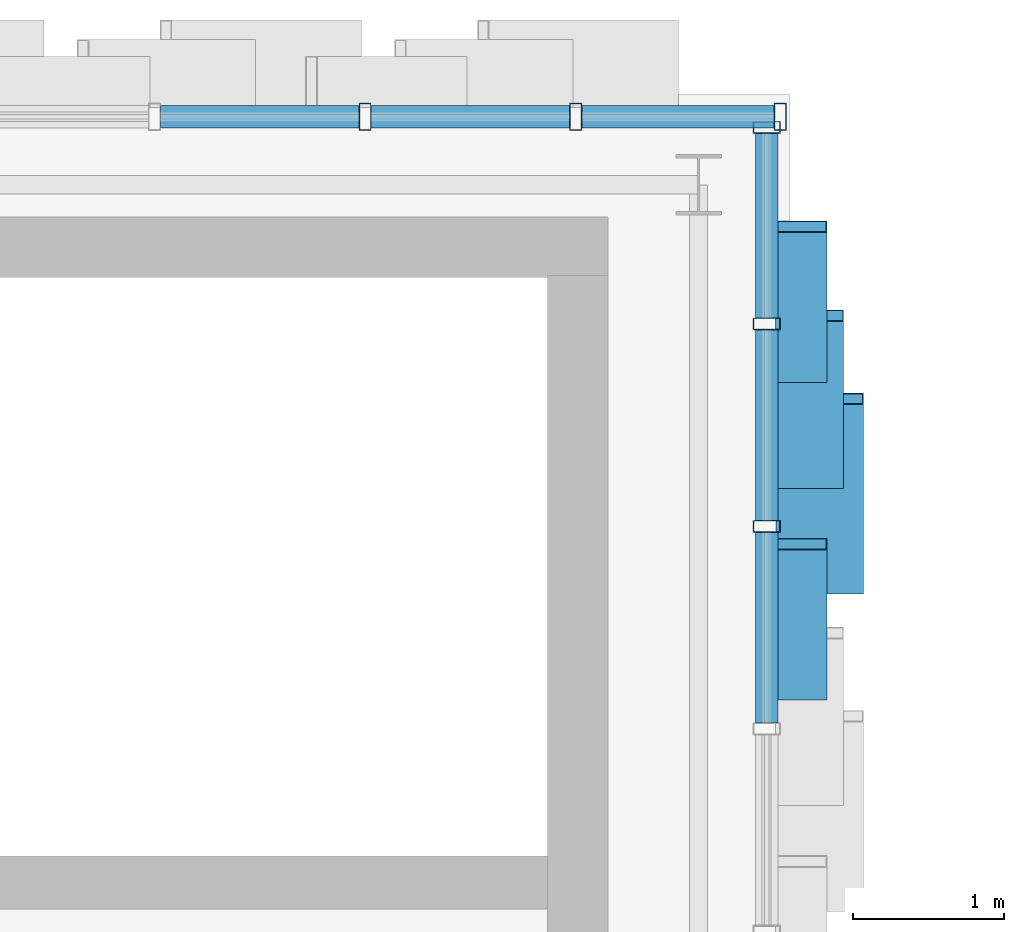
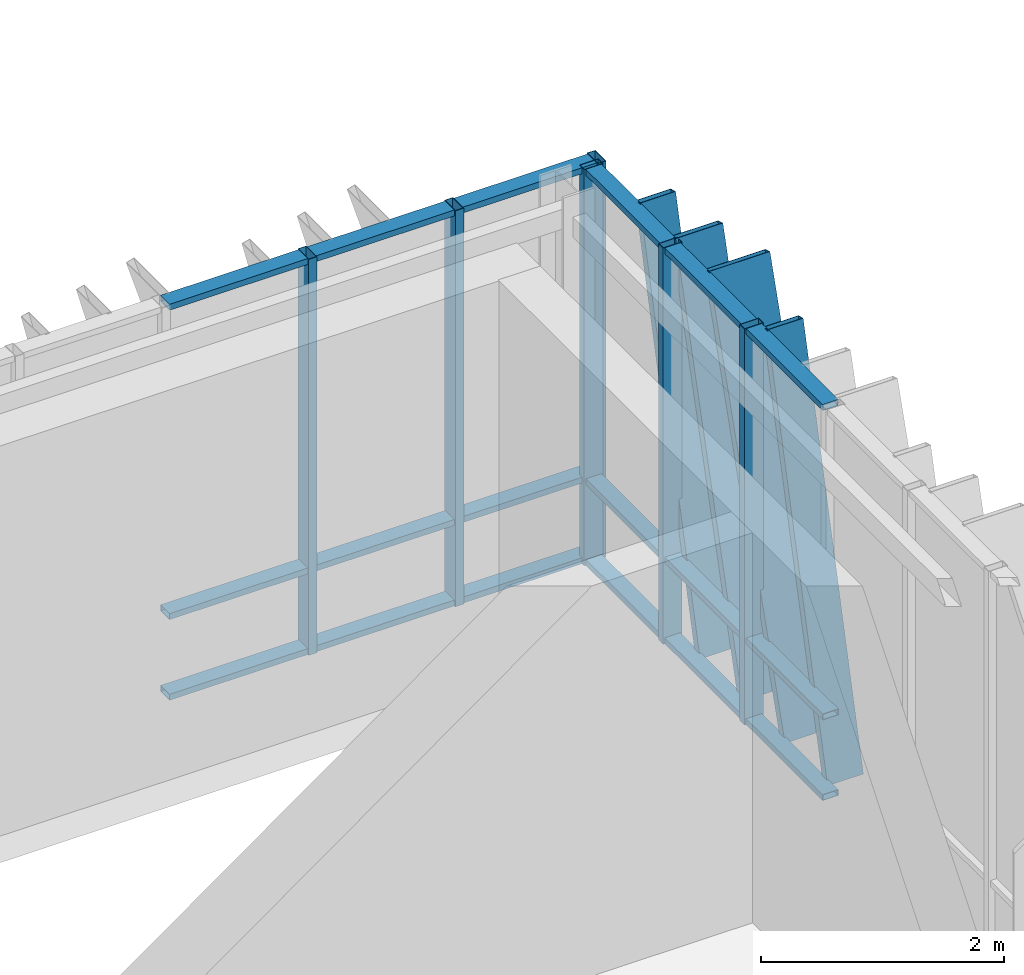
# One storey, part 64 of 123: 28 members, 2 elements without a shape of their own.
"""IFC4 building model written with IfcOpenShell, lengths in metres."""

from ifc_helpers import new_model, si_unit, direction, frame, origin, origin_2d, place, context, subcontext, project, spatial, hollow_rectangle, extrude, material, layer, layer_set, material_profile, profile_set, type_object, element, aggregate, save


model = new_model("IFC4")

# Units and contexts
model_context = context("Model", 3, precision=1e-05, world=origin(), true_north=direction((0.0, 1.0)))
body_context = subcontext(model_context, "Body", "Model", "MODEL_VIEW")
ifc_project = project(units=[si_unit("LENGTHUNIT", "METRE"), si_unit("AREAUNIT", "SQUARE_METRE"), si_unit("VOLUMEUNIT", "CUBIC_METRE"), si_unit("PLANEANGLEUNIT", "RADIAN"), si_unit("MASSUNIT", "GRAM", prefix="KILO")], contexts=[model_context])

# Site, building, storey
site_placement = place(None, origin())
site = spatial("IfcSite", under=ifc_project, at=site_placement, CompositionType="ELEMENT")
building_placement = place(site_placement, origin())
building = spatial("IfcBuilding", under=site, at=building_placement, Name="Zayran Congress Hotel", CompositionType="ELEMENT")
storey_placement = place(building_placement, frame((0.0, 0.0, 15.0)))
storey = spatial("IfcBuildingStorey", under=building, at=storey_placement, Name="L03", CompositionType="ELEMENT", Elevation=15.0)

# Curtain wall, members
ifc_material_1 = material(Name="Anodised aluminium and low-E insulated glass", Category="aluminium")
ifc_layer_1 = layer(ifc_material_1, 0.179931640625)
ifc_layer_set_1 = layer_set([ifc_layer_1], Name="Anodised aluminium and low-E insulated glass")
curtain_wall_type_1 = type_object("IfcCurtainWallType", Name="CW-V1N-L03-CW-21-8360-3980", PredefinedType="USERDEFINED", material=ifc_layer_set_1)
curtain_wall_1_placement = place(storey_placement, origin())
curtain_wall_1 = element("IfcCurtainWall", 1, at=curtain_wall_1_placement, inside=storey, type_object=curtain_wall_type_1, Name="CW-V1N-L03-9", ObjectType="CURTAIN WALL", PredefinedType="USERDEFINED")
ifc_material_2 = material(Name="Anodised aluminium framing", Category="aluminium")
ifc_material_profile_1 = material_profile(ifc_material_2, hollow_rectangle(XDim=0.080078125, YDim=0.179931640625, WallThickness=0.0048828125, at=origin_2d()), Name="RHS 180x80x5")
ifc_profile_set_1 = profile_set([ifc_material_profile_1], Name="Anodised aluminium framing")
member_type_1 = type_object("IfcMemberType", Name="TP-CWM-01", PredefinedType="MULLION", material=ifc_profile_set_1)
member_1_placement = place(storey_placement, frame((92.340087890625, 117.85009765625, 0.0), z_axis=(0.0, 0.0, 1.0), x_axis=(1.0, 0.0, 0.0)))
member_1 = element("IfcMember", 2, at=member_1_placement, type_object=member_type_1, Name="CW-V1N-L03-9-M00", PredefinedType="MULLION", context=body_context, shape_type="SweptSolid", body=[
    extrude(hollow_rectangle(XDim=0.080078125, YDim=0.179931640625, WallThickness=0.0048828125, at=origin_2d()), origin(), (0.0, 0.0, 1.0), 3.97998046875),
])
member_2_placement = place(storey_placement, frame((90.98681640625, 117.85009765625, 0.0), z_axis=(0.0, 0.0, 1.0), x_axis=(1.0, 0.0, 0.0)))
member_2 = element("IfcMember", 3, at=member_2_placement, type_object=member_type_1, Name="CW-V1N-L03-9-M01", PredefinedType="MULLION", context=body_context, shape_type="SweptSolid", body=[
    extrude(hollow_rectangle(XDim=0.080078125, YDim=0.179931640625, WallThickness=0.0048828125, at=origin_2d()), origin(), (0.0, 0.0, 1.0), 3.97998046875),
])
member_3_placement = place(storey_placement, frame((89.59326171875, 117.85009765625, 0.0), z_axis=(0.0, 0.0, 1.0), x_axis=(1.0, 0.0, 0.0)))
member_3 = element("IfcMember", 4, at=member_3_placement, type_object=member_type_1, Name="CW-V1N-L03-9-M02", PredefinedType="MULLION", context=body_context, shape_type="SweptSolid", body=[
    extrude(hollow_rectangle(XDim=0.080078125, YDim=0.179931640625, WallThickness=0.0048828125, at=origin_2d()), origin(), (0.0, 0.0, 1.0), 3.97998046875),
])

ifc_layer_2 = layer(ifc_material_1, 0.179931640625)
ifc_layer_set_2 = layer_set([ifc_layer_2], Name="Anodised aluminium and low-E insulated glass")
curtain_wall_type_2 = type_object("IfcCurtainWallType", Name="CW-V1E-L03-CW-42-8040-3980", PredefinedType="USERDEFINED", material=ifc_layer_set_2)
curtain_wall_2_placement = place(storey_placement, origin())
curtain_wall_2 = element("IfcCurtainWall", 5, at=curtain_wall_2_placement, inside=storey, type_object=curtain_wall_type_2, Name="CW-V1E-L03-5", ObjectType="CURTAIN WALL", PredefinedType="USERDEFINED")
member_4_placement = place(storey_placement, frame((92.25, 115.139892578125, 0.0), z_axis=(0.0, 0.0, 1.0), x_axis=(0.0, 1.0, 0.0)))
member_4 = element("IfcMember", 6, at=member_4_placement, type_object=member_type_1, Name="CW-V1E-L03-5-M04", PredefinedType="MULLION", context=body_context, shape_type="SweptSolid", body=[
    extrude(hollow_rectangle(XDim=0.080078125, YDim=0.179931640625, WallThickness=0.0048828125, at=origin_2d()), origin(), (0.0, 0.0, 1.0), 3.97998046875),
])
member_5_placement = place(storey_placement, frame((92.25, 116.47998046875, 0.0), z_axis=(0.0, 0.0, 1.0), x_axis=(0.0, 1.0, 0.0)))
member_5 = element("IfcMember", 7, at=member_5_placement, type_object=member_type_1, Name="CW-V1E-L03-5-M05", PredefinedType="MULLION", context=body_context, shape_type="SweptSolid", body=[
    extrude(hollow_rectangle(XDim=0.080078125, YDim=0.179931640625, WallThickness=0.0048828125, at=origin_2d()), origin(), (0.0, 0.0, 1.0), 3.97998046875),
])
member_6_placement = place(storey_placement, frame((92.25, 117.780029296875, 0.0), z_axis=(0.0, 0.0, 1.0), x_axis=(0.0, 1.0, 0.0)))
member_6 = element("IfcMember", 8, at=member_6_placement, type_object=member_type_1, Name="CW-V1E-L03-5-M06", PredefinedType="MULLION", context=body_context, shape_type="SweptSolid", body=[
    extrude(hollow_rectangle(XDim=0.080078125, YDim=0.179931640625, WallThickness=0.0048828125, at=origin_2d()), origin(), (0.0, 0.0, 1.0), 3.97998046875),
])

# Member
ifc_material_profile_2 = material_profile(ifc_material_2, hollow_rectangle(XDim=0.06005859375, YDim=0.14990234375, WallThickness=0.00390625, at=origin_2d()), Name="RHS 150x60x4")
ifc_profile_set_2 = profile_set([ifc_material_profile_2], Name="Anodised aluminium framing")
member_type_2 = type_object("IfcMemberType", Name="TP-CWT-01", PredefinedType="USERDEFINED", material=ifc_profile_set_2)
member_7_placement = place(storey_placement, frame((92.300048828125, 117.85009765625, 0.030029296875), z_axis=(-1.0, 0.0, 0.0), x_axis=(0.0, 0.0, 1.0)))
member_7 = element("IfcMember", 9, at=member_7_placement, type_object=member_type_2, Name="CW-V1N-L03-9-T00-0", ObjectType="TRANSOM", PredefinedType="USERDEFINED", context=body_context, shape_type="SweptSolid", body=[
    extrude(hollow_rectangle(XDim=0.06005859375, YDim=0.14990234375, WallThickness=0.00390625, at=origin_2d()), origin(), (0.0, 0.0, 1.0), 1.2734375),
])

member_8_placement = place(storey_placement, frame((92.300048828125, 117.85009765625, 0.840087890625), z_axis=(-1.0, 0.0, 0.0), x_axis=(0.0, 0.0, 1.0)))
member_8 = element("IfcMember", 10, at=member_8_placement, type_object=member_type_2, Name="CW-V1N-L03-9-T00-1", ObjectType="TRANSOM", PredefinedType="USERDEFINED", context=body_context, shape_type="SweptSolid", body=[
    extrude(hollow_rectangle(XDim=0.06005859375, YDim=0.14990234375, WallThickness=0.00390625, at=origin_2d()), origin(), (0.0, 0.0, 1.0), 1.2734375),
])

member_9_placement = place(storey_placement, frame((92.300048828125, 117.85009765625, 3.949951171875), z_axis=(-1.0, 0.0, 0.0), x_axis=(0.0, 0.0, 1.0)))
member_9 = element("IfcMember", 11, at=member_9_placement, type_object=member_type_2, Name="CW-V1N-L03-9-T00-2", ObjectType="TRANSOM", PredefinedType="USERDEFINED", context=body_context, shape_type="SweptSolid", body=[
    extrude(hollow_rectangle(XDim=0.06005859375, YDim=0.14990234375, WallThickness=0.00390625, at=origin_2d()), origin(), (0.0, 0.0, 1.0), 1.2734375),
])

member_10_placement = place(storey_placement, frame((90.94677734375, 117.85009765625, 0.030029296875), z_axis=(-1.0, 0.0, 0.0), x_axis=(0.0, 0.0, 1.0)))
member_10 = element("IfcMember", 12, at=member_10_placement, type_object=member_type_2, Name="CW-V1N-L03-9-T01-0", ObjectType="TRANSOM", PredefinedType="USERDEFINED", context=body_context, shape_type="SweptSolid", body=[
    extrude(hollow_rectangle(XDim=0.06005859375, YDim=0.14990234375, WallThickness=0.00390625, at=origin_2d()), origin(), (0.0, 0.0, 1.0), 1.3134765625),
])

member_11_placement = place(storey_placement, frame((90.94677734375, 117.85009765625, 0.840087890625), z_axis=(-1.0, 0.0, 0.0), x_axis=(0.0, 0.0, 1.0)))
member_11 = element("IfcMember", 13, at=member_11_placement, type_object=member_type_2, Name="CW-V1N-L03-9-T01-1", ObjectType="TRANSOM", PredefinedType="USERDEFINED", context=body_context, shape_type="SweptSolid", body=[
    extrude(hollow_rectangle(XDim=0.06005859375, YDim=0.14990234375, WallThickness=0.00390625, at=origin_2d()), origin(), (0.0, 0.0, 1.0), 1.3134765625),
])

member_12_placement = place(storey_placement, frame((90.94677734375, 117.85009765625, 3.949951171875), z_axis=(-1.0, 0.0, 0.0), x_axis=(0.0, 0.0, 1.0)))
member_12 = element("IfcMember", 14, at=member_12_placement, type_object=member_type_2, Name="CW-V1N-L03-9-T01-2", ObjectType="TRANSOM", PredefinedType="USERDEFINED", context=body_context, shape_type="SweptSolid", body=[
    extrude(hollow_rectangle(XDim=0.06005859375, YDim=0.14990234375, WallThickness=0.00390625, at=origin_2d()), origin(), (0.0, 0.0, 1.0), 1.3134765625),
])

member_13_placement = place(storey_placement, frame((89.55322265625, 117.85009765625, 0.030029296875), z_axis=(-1.0, 0.0, 0.0), x_axis=(0.0, 0.0, 1.0)))
member_13 = element("IfcMember", 15, at=member_13_placement, type_object=member_type_2, Name="CW-V1N-L03-9-T02-0", ObjectType="TRANSOM", PredefinedType="USERDEFINED", context=body_context, shape_type="SweptSolid", body=[
    extrude(hollow_rectangle(XDim=0.06005859375, YDim=0.14990234375, WallThickness=0.00390625, at=origin_2d()), origin(), (0.0, 0.0, 1.0), 1.313232421875),
])

member_14_placement = place(storey_placement, frame((89.55322265625, 117.85009765625, 0.840087890625), z_axis=(-1.0, 0.0, 0.0), x_axis=(0.0, 0.0, 1.0)))
member_14 = element("IfcMember", 16, at=member_14_placement, type_object=member_type_2, Name="CW-V1N-L03-9-T02-1", ObjectType="TRANSOM", PredefinedType="USERDEFINED", context=body_context, shape_type="SweptSolid", body=[
    extrude(hollow_rectangle(XDim=0.06005859375, YDim=0.14990234375, WallThickness=0.00390625, at=origin_2d()), origin(), (0.0, 0.0, 1.0), 1.313232421875),
])

member_15_placement = place(storey_placement, frame((89.55322265625, 117.85009765625, 3.949951171875), z_axis=(-1.0, 0.0, 0.0), x_axis=(0.0, 0.0, 1.0)))
member_15 = element("IfcMember", 17, at=member_15_placement, type_object=member_type_2, Name="CW-V1N-L03-9-T02-2", ObjectType="TRANSOM", PredefinedType="USERDEFINED", context=body_context, shape_type="SweptSolid", body=[
    extrude(hollow_rectangle(XDim=0.06005859375, YDim=0.14990234375, WallThickness=0.00390625, at=origin_2d()), origin(), (0.0, 0.0, 1.0), 1.313232421875),
])

aggregate(curtain_wall_1, [member_1, member_2, member_3, member_7, member_8, member_9, member_10, member_11, member_12, member_13, member_14, member_15])

member_16_placement = place(storey_placement, frame((92.25, 113.840087890625, 0.030029296875), z_axis=(0.0, 1.0, 0.0), x_axis=(0.0, 0.0, 1.0)))
member_16 = element("IfcMember", 18, at=member_16_placement, type_object=member_type_2, Name="CW-V1E-L03-5-T03-0", ObjectType="TRANSOM", PredefinedType="USERDEFINED", context=body_context, shape_type="SweptSolid", body=[
    extrude(hollow_rectangle(XDim=0.06005859375, YDim=0.14990234375, WallThickness=0.00390625, at=origin_2d()), origin(), (0.0, 0.0, 1.0), 1.260009765625),
])

member_17_placement = place(storey_placement, frame((92.25, 113.840087890625, 0.840087890625), z_axis=(0.0, 1.0, 0.0), x_axis=(0.0, 0.0, 1.0)))
member_17 = element("IfcMember", 19, at=member_17_placement, type_object=member_type_2, Name="CW-V1E-L03-5-T03-1", ObjectType="TRANSOM", PredefinedType="USERDEFINED", context=body_context, shape_type="SweptSolid", body=[
    extrude(hollow_rectangle(XDim=0.06005859375, YDim=0.14990234375, WallThickness=0.00390625, at=origin_2d()), origin(), (0.0, 0.0, 1.0), 1.260009765625),
])

member_18_placement = place(storey_placement, frame((92.25, 113.840087890625, 3.949951171875), z_axis=(0.0, 1.0, 0.0), x_axis=(0.0, 0.0, 1.0)))
member_18 = element("IfcMember", 20, at=member_18_placement, type_object=member_type_2, Name="CW-V1E-L03-5-T03-2", ObjectType="TRANSOM", PredefinedType="USERDEFINED", context=body_context, shape_type="SweptSolid", body=[
    extrude(hollow_rectangle(XDim=0.06005859375, YDim=0.14990234375, WallThickness=0.00390625, at=origin_2d()), origin(), (0.0, 0.0, 1.0), 1.260009765625),
])

member_19_placement = place(storey_placement, frame((92.25, 115.179931640625, 0.030029296875), z_axis=(0.0, 1.0, 0.0), x_axis=(0.0, 0.0, 1.0)))
member_19 = element("IfcMember", 21, at=member_19_placement, type_object=member_type_2, Name="CW-V1E-L03-5-T04-0", ObjectType="TRANSOM", PredefinedType="USERDEFINED", context=body_context, shape_type="SweptSolid", body=[
    extrude(hollow_rectangle(XDim=0.06005859375, YDim=0.14990234375, WallThickness=0.00390625, at=origin_2d()), origin(), (0.0, 0.0, 1.0), 1.260009765625),
])

member_20_placement = place(storey_placement, frame((92.25, 115.179931640625, 0.840087890625), z_axis=(0.0, 1.0, 0.0), x_axis=(0.0, 0.0, 1.0)))
member_20 = element("IfcMember", 22, at=member_20_placement, type_object=member_type_2, Name="CW-V1E-L03-5-T04-1", ObjectType="TRANSOM", PredefinedType="USERDEFINED", context=body_context, shape_type="SweptSolid", body=[
    extrude(hollow_rectangle(XDim=0.06005859375, YDim=0.14990234375, WallThickness=0.00390625, at=origin_2d()), origin(), (0.0, 0.0, 1.0), 1.260009765625),
])

member_21_placement = place(storey_placement, frame((92.25, 115.179931640625, 3.949951171875), z_axis=(0.0, 1.0, 0.0), x_axis=(0.0, 0.0, 1.0)))
member_21 = element("IfcMember", 23, at=member_21_placement, type_object=member_type_2, Name="CW-V1E-L03-5-T04-2", ObjectType="TRANSOM", PredefinedType="USERDEFINED", context=body_context, shape_type="SweptSolid", body=[
    extrude(hollow_rectangle(XDim=0.06005859375, YDim=0.14990234375, WallThickness=0.00390625, at=origin_2d()), origin(), (0.0, 0.0, 1.0), 1.260009765625),
])

member_22_placement = place(storey_placement, frame((92.25, 116.52001953125, 0.030029296875), z_axis=(0.0, 1.0, 0.0), x_axis=(0.0, 0.0, 1.0)))
member_22 = element("IfcMember", 24, at=member_22_placement, type_object=member_type_2, Name="CW-V1E-L03-5-T05-0", ObjectType="TRANSOM", PredefinedType="USERDEFINED", context=body_context, shape_type="SweptSolid", body=[
    extrude(hollow_rectangle(XDim=0.06005859375, YDim=0.14990234375, WallThickness=0.00390625, at=origin_2d()), origin(), (0.0, 0.0, 1.0), 1.219970703125),
])

member_23_placement = place(storey_placement, frame((92.25, 116.52001953125, 0.840087890625), z_axis=(0.0, 1.0, 0.0), x_axis=(0.0, 0.0, 1.0)))
member_23 = element("IfcMember", 25, at=member_23_placement, type_object=member_type_2, Name="CW-V1E-L03-5-T05-1", ObjectType="TRANSOM", PredefinedType="USERDEFINED", context=body_context, shape_type="SweptSolid", body=[
    extrude(hollow_rectangle(XDim=0.06005859375, YDim=0.14990234375, WallThickness=0.00390625, at=origin_2d()), origin(), (0.0, 0.0, 1.0), 1.219970703125),
])

member_24_placement = place(storey_placement, frame((92.25, 116.52001953125, 3.949951171875), z_axis=(0.0, 1.0, 0.0), x_axis=(0.0, 0.0, 1.0)))
member_24 = element("IfcMember", 26, at=member_24_placement, type_object=member_type_2, Name="CW-V1E-L03-5-T05-2", ObjectType="TRANSOM", PredefinedType="USERDEFINED", context=body_context, shape_type="SweptSolid", body=[
    extrude(hollow_rectangle(XDim=0.06005859375, YDim=0.14990234375, WallThickness=0.00390625, at=origin_2d()), origin(), (0.0, 0.0, 1.0), 1.219970703125),
])

ifc_material_3 = material(Name="Warm bronze anodised aluminium", Category="aluminium")
ifc_material_profile_3 = material_profile(ifc_material_3, hollow_rectangle(XDim=0.080078125, YDim=0.580078125, WallThickness=0.006103515625, at=origin_2d()), Name="RHS 580x80x6")
ifc_profile_set_3 = profile_set([ifc_material_profile_3], Name="Warm bronze anodised aluminium")
member_type_3 = type_object("IfcMemberType", Name="TP-RFN-01", PredefinedType="MULLION", material=ifc_profile_set_3)
member_25_placement = place(storey_placement, frame((92.60009765625, 114.72998046875, 0.0), z_axis=(0.0, 0.300705753938, 0.953716965115), x_axis=(0.0, -0.953716965115, 0.300705753938)))
member_25 = element("IfcMember", 27, at=member_25_placement, type_object=member_type_3, Name="Slanting Reed Mullion CW-42-07", PredefinedType="MULLION", context=body_context, shape_type="SweptSolid", body=[
    extrude(hollow_rectangle(XDim=0.080078125, YDim=0.580078125, WallThickness=0.006103515625, at=origin_2d()), origin(), (0.0, 0.0, 1.0), 4.173095703125),
])

ifc_material_profile_4 = material_profile(ifc_material_3, hollow_rectangle(XDim=0.080078125, YDim=0.449951171875, WallThickness=0.006103515625, at=origin_2d()), Name="RHS 450x80x6")
ifc_profile_set_4 = profile_set([ifc_material_profile_4], Name="Warm bronze anodised aluminium")
member_type_4 = type_object("IfcMemberType", Name="TP-RFN-02", PredefinedType="MULLION", material=ifc_profile_set_4)
member_26_placement = place(storey_placement, frame((92.534912109375, 115.429931640625, 0.0), z_axis=(0.0, 0.267241410526, 0.963629611677), x_axis=(0.0, -0.963629611677, 0.267241410526)))
member_26 = element("IfcMember", 28, at=member_26_placement, type_object=member_type_4, Name="Slanting Reed Mullion CW-42-08", PredefinedType="MULLION", context=body_context, shape_type="SweptSolid", body=[
    extrude(hollow_rectangle(XDim=0.080078125, YDim=0.449951171875, WallThickness=0.006103515625, at=origin_2d()), origin(), (0.0, 0.0, 1.0), 4.130126953125),
])

ifc_material_profile_5 = material_profile(ifc_material_3, hollow_rectangle(XDim=0.080078125, YDim=0.340087890625, WallThickness=0.006103515625, at=origin_2d()), Name="RHS 340x80x6")
ifc_profile_set_5 = profile_set([ifc_material_profile_5], Name="Warm bronze anodised aluminium")
member_type_5 = type_object("IfcMemberType", Name="TP-RFN-03", PredefinedType="MULLION", material=ifc_profile_set_5)
member_27_placement = place(storey_placement, frame((92.47998046875, 114.030029296875, 0.0), z_axis=(0.0, 0.24189134958, 0.970303341743), x_axis=(0.0, -0.970303341743, 0.24189134958)))
member_27 = element("IfcMember", 29, at=member_27_placement, type_object=member_type_5, Name="Slanting Reed Mullion CW-42-06", PredefinedType="MULLION", context=body_context, shape_type="SweptSolid", body=[
    extrude(hollow_rectangle(XDim=0.080078125, YDim=0.340087890625, WallThickness=0.006103515625, at=origin_2d()), origin(), (0.0, 0.0, 1.0), 4.101806640625),
])

member_28_placement = place(storey_placement, frame((92.47998046875, 116.1298828125, 0.0), z_axis=(0.0, 0.241947386249, 0.970289370388), x_axis=(0.0, -0.970289370388, 0.241947386249)))
member_28 = element("IfcMember", 30, at=member_28_placement, type_object=member_type_5, Name="Slanting Reed Mullion CW-42-09", PredefinedType="MULLION", context=body_context, shape_type="SweptSolid", body=[
    extrude(hollow_rectangle(XDim=0.080078125, YDim=0.340087890625, WallThickness=0.006103515625, at=origin_2d()), origin(), (0.0, 0.0, 1.0), 4.101806640625),
])

aggregate(curtain_wall_2, [member_4, member_5, member_6, member_16, member_17, member_18, member_19, member_20, member_21, member_22, member_23, member_24, member_27, member_25, member_26, member_28])

save(model, "model.ifc")
